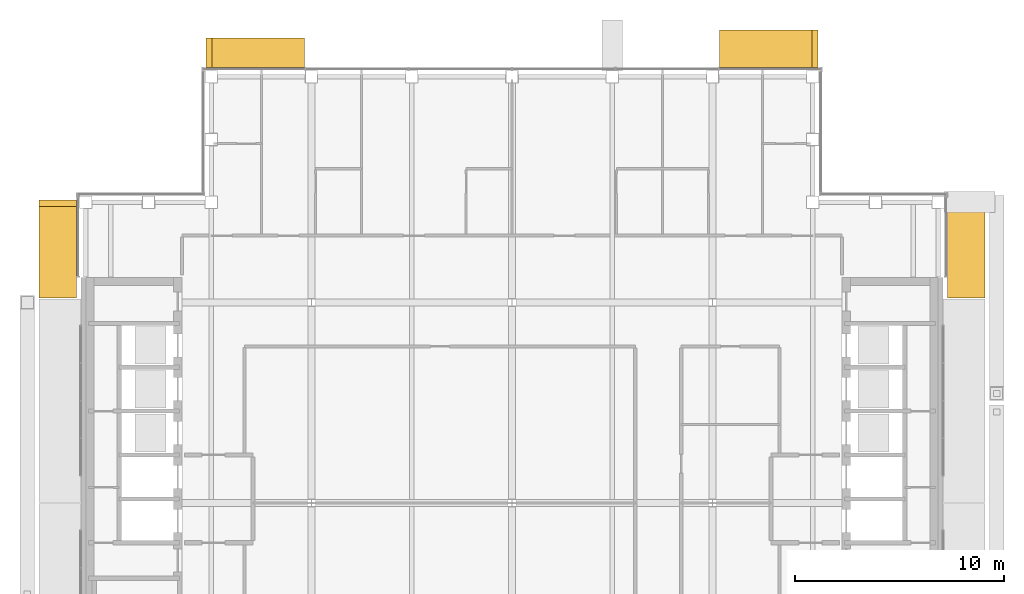
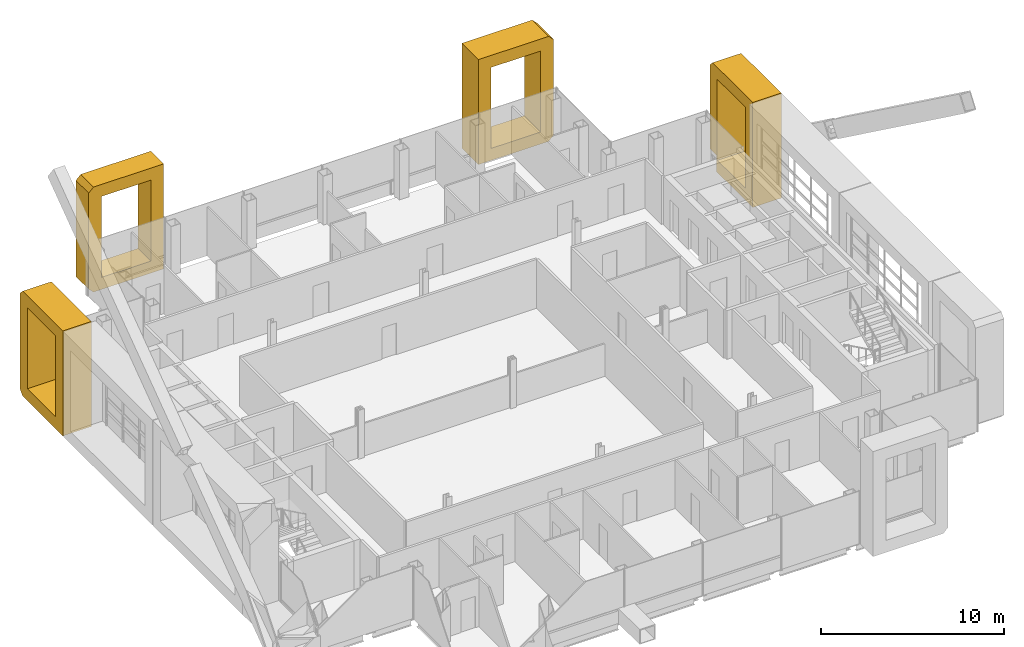
# One storey, part 22 of 23: 4 coverings.
"""IFC4 building model written with IfcOpenShell, lengths in metres."""

from ifc_helpers import new_model, si_unit, direction, frame, origin, place, context, subcontext, project, spatial, polyline, outline, extrude, material, type_object, element, save


model = new_model("IFC4")

# Units and contexts
model_context = context("Model", 3, precision=1e-05, world=origin(), true_north=direction((0.0, 1.0)))
body_context = subcontext(model_context, "Body", "Model", "MODEL_VIEW")
ifc_project = project(units=[si_unit("LENGTHUNIT", "METRE"), si_unit("AREAUNIT", "SQUARE_METRE"), si_unit("VOLUMEUNIT", "CUBIC_METRE"), si_unit("PLANEANGLEUNIT", "RADIAN"), si_unit("MASSUNIT", "GRAM", prefix="KILO")], contexts=[model_context])

# Site, building, storey
site_placement = place(None, origin())
site = spatial("IfcSite", under=ifc_project, at=site_placement, CompositionType="ELEMENT")
building_placement = place(site_placement, origin())
building = spatial("IfcBuilding", under=site, at=building_placement, Name="Cobrizo Arcos Hotel Tower", CompositionType="ELEMENT")
storey_placement = place(building_placement, frame((0.0, 0.0, 262.0)))
storey = spatial("IfcBuildingStorey", under=building, at=storey_placement, Name="L69", CompositionType="ELEMENT", Elevation=262.0)

# Coverings
ifc_material = material(Name="Aluminium 6063-T6 anodised bronze", Category="aluminium")
covering_type_1 = type_object("IfcCoveringType", Name="FIN-F 1400", PredefinedType="CLADDING", material=ifc_material)
covering_1_placement = place(storey_placement, frame((-9.925048828125, 20.85009765625, 0.0), z_axis=(0.0, 1.0, 0.0), x_axis=(-1.0, 0.0, 0.0)))
element("IfcCovering", 1, at=covering_1_placement, inside=storey, type_object=covering_type_1, Name="Fin frame 376", PredefinedType="CLADDING", context=body_context, shape_type="SweptSolid", body=[
    extrude(outline(polyline([(0.0, 7.0), (0.0, 0.0), (4.425048828125, 0.0), (4.72509765625, 0.300048828125), (4.72509765625, 6.699951171875), (4.425048828125, 7.0), (0.0, 7.0)]), holes=[polyline([(3.925048828125, 0.800048828125), (0.800048828125, 0.800048828125), (0.800048828125, 6.199951171875), (3.925048828125, 6.199951171875), (3.925048828125, 0.800048828125)])]), origin(), (0.0, 0.0, 1.0), 1.39990234375),
])
covering_type_2 = type_object("IfcCoveringType", Name="FIN-F 1800", PredefinedType="CLADDING", material=ifc_material)
covering_2_placement = place(storey_placement, frame((14.64990234375, 20.85009765625, 0.0), z_axis=(0.0, 1.0, 0.0), x_axis=(-1.0, 0.0, 0.0)))
element("IfcCovering", 2, at=covering_2_placement, inside=storey, type_object=covering_type_2, Name="Fin frame 375", PredefinedType="CLADDING", context=body_context, shape_type="SweptSolid", body=[
    extrude(outline(polyline([(0.0, 0.300048828125), (0.300048828125, 0.0), (4.72509765625, 0.0), (4.72509765625, 7.0), (0.300048828125, 7.0), (0.0, 6.699951171875), (0.0, 0.300048828125)]), holes=[polyline([(3.925048828125, 0.800048828125), (0.800048828125, 0.800048828125), (0.800048828125, 6.199951171875), (3.925048828125, 6.199951171875), (3.925048828125, 0.800048828125)])]), origin(), (0.0, 0.0, 1.0), 1.7998046875),
])
covering_3_placement = place(storey_placement, frame((20.85009765625, 9.824951171875, 0.0), z_axis=(1.0, 0.0, 0.0), x_axis=(0.0, 1.0, 0.0)))
element("IfcCovering", 3, at=covering_3_placement, inside=storey, type_object=covering_type_2, Name="Fin frame 394", PredefinedType="CLADDING", context=body_context, shape_type="SweptSolid", body=[
    extrude(outline(polyline([(0.0, 0.0), (3.972900390625, 0.0), (3.972900390625, 1.10205078125), (4.675048828125, 1.10205078125), (4.675048828125, 6.699951171875), (4.375, 7.0), (0.0, 7.0), (0.0, 0.0)]), holes=[polyline([(3.875, 0.800048828125), (0.800048828125, 0.800048828125), (0.800048828125, 6.199951171875), (3.875, 6.199951171875), (3.875, 0.800048828125)])]), origin(), (0.0, 0.0, 1.0), 1.7998046875),
])
covering_4_placement = place(storey_placement, frame((-20.85009765625, 14.5, 0.0), z_axis=(-1.0, 0.0, 0.0), x_axis=(0.0, -1.0, 0.0)))
element("IfcCovering", 4, at=covering_4_placement, inside=storey, type_object=covering_type_2, Name="Fin frame 435", PredefinedType="CLADDING", context=body_context, shape_type="SweptSolid", body=[
    extrude(outline(polyline([(0.0, 0.300048828125), (0.300048828125, 0.0), (4.675048828125, 0.0), (4.675048828125, 7.0), (0.300048828125, 7.0), (0.0, 6.699951171875), (0.0, 0.300048828125)]), holes=[polyline([(3.875, 0.800048828125), (0.800048828125, 0.800048828125), (0.800048828125, 6.199951171875), (3.875, 6.199951171875), (3.875, 0.800048828125)])]), origin(), (0.0, 0.0, 1.0), 1.7998046875),
])

save(model, "model.ifc")
